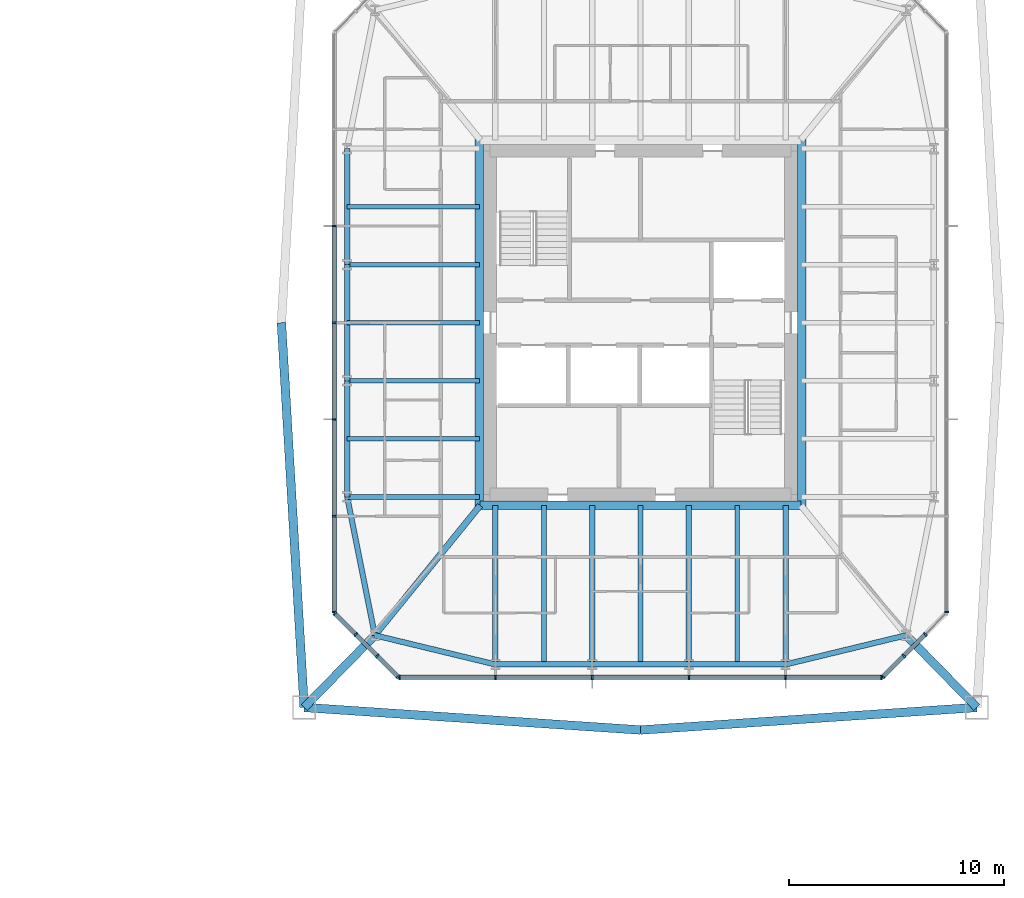
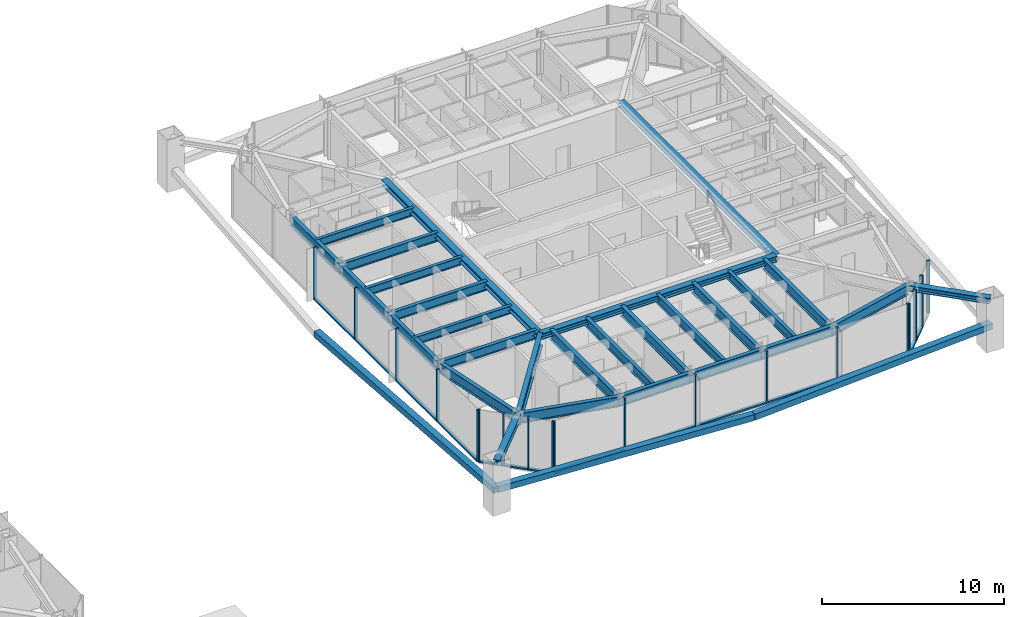
# One storey, part 8 of 25: 38 members, 26 beams, 5 elements without a shape of their own.
"""IFC4 building model written with IfcOpenShell, lengths in metres."""

from ifc_helpers import new_model, si_unit, direction, frame, origin, origin_2d, place, context, subcontext, project, spatial, rectangle, hollow_rectangle, i_section, extrude, material, material_profile, profile_set, type_object, element, aggregate, save


model = new_model("IFC4")

# Units and contexts
model_context = context("Model", 3, precision=1e-05, world=origin(), true_north=direction((0.0, 1.0)))
body_context = subcontext(model_context, "Body", "Model", "MODEL_VIEW")
ifc_project = project(units=[si_unit("LENGTHUNIT", "METRE"), si_unit("AREAUNIT", "SQUARE_METRE"), si_unit("VOLUMEUNIT", "CUBIC_METRE"), si_unit("PLANEANGLEUNIT", "RADIAN"), si_unit("MASSUNIT", "GRAM", prefix="KILO")], contexts=[model_context])

# Site, building, storey
site_placement = place(None, origin())
site = spatial("IfcSite", under=ifc_project, at=site_placement, CompositionType="ELEMENT")
building_placement = place(site_placement, origin())
building = spatial("IfcBuilding", under=site, at=building_placement, Name="Iwan Alto Co-Living Towers", CompositionType="ELEMENT")
storey_placement = place(building_placement, frame((0.0, 0.0, 87.5)))
storey = spatial("IfcBuildingStorey", under=building, at=storey_placement, Name="L23", CompositionType="ELEMENT", Elevation=87.5)

# Curtain wall, members
ifc_material_1 = material(Name="Bronze aluminium unitised frame", Category="aluminium")
curtain_wall_type_1 = type_object("IfcCurtainWallType", Name="CURTAIN WALL CW-C", PredefinedType="NOTDEFINED", material=ifc_material_1)
curtain_wall_1_placement = place(storey_placement, origin())
curtain_wall_1 = element("IfcCurtainWall", 1, at=curtain_wall_1_placement, inside=storey, type_object=curtain_wall_type_1, Name="T2 curtain wall S L23", PredefinedType="NOTDEFINED")
ifc_material_2 = material(Name="Aluminium 6063-T6 bronze anodised", Category="aluminium")
ifc_material_profile_1 = material_profile(ifc_material_2, rectangle(XDim=0.199951171875, YDim=0.080078125, at=origin_2d()), Name="AL 80X200")
ifc_profile_set_1 = profile_set([ifc_material_profile_1], Name="Aluminium 6063-T6 bronze anodised")
member_type_1 = type_object("IfcMemberType", Name="CW-C MULLION 80X200", PredefinedType="MULLION", material=ifc_profile_set_1)
member_1_placement = place(storey_placement, frame((51.7900390625, -16.5, 0.0), z_axis=(0.0, 0.0, 1.0), x_axis=(0.0, 1.0, 0.0)))
member_1 = element("IfcMember", 2, at=member_1_placement, type_object=member_type_1, Name="CW-C mullion 1", PredefinedType="MULLION", context=body_context, shape_type="SweptSolid", body=[
    extrude(rectangle(XDim=0.199951171875, YDim=0.080078125, at=origin_2d()), origin(), (0.0, 0.0, 1.0), 3.5),
])
member_2_placement = place(storey_placement, frame((56.25, -16.5, 0.0), z_axis=(0.0, 0.0, 1.0), x_axis=(0.0, 1.0, 0.0)))
member_2 = element("IfcMember", 3, at=member_2_placement, type_object=member_type_1, Name="CW-C mullion 2", PredefinedType="MULLION", context=body_context, shape_type="SweptSolid", body=[
    extrude(rectangle(XDim=0.199951171875, YDim=0.080078125, at=origin_2d()), origin(), (0.0, 0.0, 1.0), 3.5),
])
member_3_placement = place(storey_placement, frame((60.75, -16.5, 0.0), z_axis=(0.0, 0.0, 1.0), x_axis=(0.0, 1.0, 0.0)))
member_3 = element("IfcMember", 4, at=member_3_placement, type_object=member_type_1, Name="CW-C mullion 3", PredefinedType="MULLION", context=body_context, shape_type="SweptSolid", body=[
    extrude(rectangle(XDim=0.199951171875, YDim=0.080078125, at=origin_2d()), origin(), (0.0, 0.0, 1.0), 3.5),
])
member_4_placement = place(storey_placement, frame((65.25, -16.5, 0.0), z_axis=(0.0, 0.0, 1.0), x_axis=(0.0, 1.0, 0.0)))
member_4 = element("IfcMember", 5, at=member_4_placement, type_object=member_type_1, Name="CW-C mullion 4", PredefinedType="MULLION", context=body_context, shape_type="SweptSolid", body=[
    extrude(rectangle(XDim=0.199951171875, YDim=0.080078125, at=origin_2d()), origin(), (0.0, 0.0, 1.0), 3.5),
])
member_5_placement = place(storey_placement, frame((69.75, -16.5, 0.0), z_axis=(0.0, 0.0, 1.0), x_axis=(0.0, 1.0, 0.0)))
member_5 = element("IfcMember", 6, at=member_5_placement, type_object=member_type_1, Name="CW-C mullion 5", PredefinedType="MULLION", context=body_context, shape_type="SweptSolid", body=[
    extrude(rectangle(XDim=0.199951171875, YDim=0.080078125, at=origin_2d()), origin(), (0.0, 0.0, 1.0), 3.5),
])
member_6_placement = place(storey_placement, frame((74.2099609375, -16.5, 0.0), z_axis=(0.0, 0.0, 1.0), x_axis=(0.0, 1.0, 0.0)))
member_6 = element("IfcMember", 7, at=member_6_placement, type_object=member_type_1, Name="CW-C mullion 6", PredefinedType="MULLION", context=body_context, shape_type="SweptSolid", body=[
    extrude(rectangle(XDim=0.199951171875, YDim=0.080078125, at=origin_2d()), origin(), (0.0, 0.0, 1.0), 3.5),
])

# Curtain wall, member
curtain_wall_2_placement = place(storey_placement, origin())
curtain_wall_2 = element("IfcCurtainWall", 8, at=curtain_wall_2_placement, inside=storey, type_object=curtain_wall_type_1, Name="T2 curtain wall E L23", PredefinedType="NOTDEFINED")
member_7_placement = place(storey_placement, frame((77.25, -13.4599609375, 0.0), z_axis=(0.0, 0.0, 1.0), x_axis=(-1.0, 0.0, 0.0)))
member_7 = element("IfcMember", 9, at=member_7_placement, type_object=member_type_1, Name="CW-C mullion 1", PredefinedType="MULLION", context=body_context, shape_type="SweptSolid", body=[
    extrude(rectangle(XDim=0.199951171875, YDim=0.080078125, at=origin_2d()), origin(), (0.0, 0.0, 1.0), 3.5),
])
aggregate(curtain_wall_2, [member_7])

# Curtain wall, members
curtain_wall_3_placement = place(storey_placement, origin())
curtain_wall_3 = element("IfcCurtainWall", 10, at=curtain_wall_3_placement, inside=storey, type_object=curtain_wall_type_1, Name="T2 curtain wall W L23", PredefinedType="NOTDEFINED")
member_8_placement = place(storey_placement, frame((48.75, 4.5, 0.0), z_axis=(0.0, 0.0, 1.0), x_axis=(1.0, 0.0, 0.0)))
member_8 = element("IfcMember", 11, at=member_8_placement, type_object=member_type_1, Name="CW-C mullion 3", PredefinedType="MULLION", context=body_context, shape_type="SweptSolid", body=[
    extrude(rectangle(XDim=0.199951171875, YDim=0.080078125, at=origin_2d()), origin(), (0.0, 0.0, 1.0), 3.5),
])
member_9_placement = place(storey_placement, frame((48.75, 0.0, 0.0), z_axis=(0.0, 0.0, 1.0), x_axis=(1.0, 0.0, 0.0)))
member_9 = element("IfcMember", 12, at=member_9_placement, type_object=member_type_1, Name="CW-C mullion 4", PredefinedType="MULLION", context=body_context, shape_type="SweptSolid", body=[
    extrude(rectangle(XDim=0.199951171875, YDim=0.080078125, at=origin_2d()), origin(), (0.0, 0.0, 1.0), 3.5),
])
member_10_placement = place(storey_placement, frame((48.75, -4.5, 0.0), z_axis=(0.0, 0.0, 1.0), x_axis=(1.0, 0.0, 0.0)))
member_10 = element("IfcMember", 13, at=member_10_placement, type_object=member_type_1, Name="CW-C mullion 5", PredefinedType="MULLION", context=body_context, shape_type="SweptSolid", body=[
    extrude(rectangle(XDim=0.199951171875, YDim=0.080078125, at=origin_2d()), origin(), (0.0, 0.0, 1.0), 3.5),
])
member_11_placement = place(storey_placement, frame((48.75, -9.0, 0.0), z_axis=(0.0, 0.0, 1.0), x_axis=(1.0, 0.0, 0.0)))
member_11 = element("IfcMember", 14, at=member_11_placement, type_object=member_type_1, Name="CW-C mullion 6", PredefinedType="MULLION", context=body_context, shape_type="SweptSolid", body=[
    extrude(rectangle(XDim=0.199951171875, YDim=0.080078125, at=origin_2d()), origin(), (0.0, 0.0, 1.0), 3.5),
])
member_12_placement = place(storey_placement, frame((48.75, -13.4599609375, 0.0), z_axis=(0.0, 0.0, 1.0), x_axis=(1.0, 0.0, 0.0)))
member_12 = element("IfcMember", 15, at=member_12_placement, type_object=member_type_1, Name="CW-C mullion 7", PredefinedType="MULLION", context=body_context, shape_type="SweptSolid", body=[
    extrude(rectangle(XDim=0.199951171875, YDim=0.080078125, at=origin_2d()), origin(), (0.0, 0.0, 1.0), 3.5),
])

# Member
ifc_material_3 = material(Name="Aluminium 6063-T6 bronze anodised", Category="aluminium")
ifc_material_profile_2 = material_profile(ifc_material_3, rectangle(XDim=0.199951171875, YDim=0.10009765625, at=origin_2d()), Name="AL 200X100")
ifc_profile_set_2 = profile_set([ifc_material_profile_2], Name="Aluminium 6063-T6 bronze anodised")
member_type_2 = type_object("IfcMemberType", Name="CW-C TRANSOM 200X100", PredefinedType="USERDEFINED", material=ifc_profile_set_2)
member_13_placement = place(storey_placement, frame((51.830078125, -16.5, 0.050048828125), z_axis=(1.0, 0.0, 0.0), x_axis=(0.0, 1.0, 0.0)))
member_13 = element("IfcMember", 16, at=member_13_placement, type_object=member_type_2, Name="CW-C transom 1.1", ObjectType="TRANSOM", PredefinedType="USERDEFINED", context=body_context, shape_type="SweptSolid", body=[
    extrude(rectangle(XDim=0.199951171875, YDim=0.10009765625, at=origin_2d()), origin(), (0.0, 0.0, 1.0), 4.3798828125),
])

member_14_placement = place(storey_placement, frame((56.2900390625, -16.5, 0.050048828125), z_axis=(1.0, 0.0, 0.0), x_axis=(0.0, 1.0, 0.0)))
member_14 = element("IfcMember", 17, at=member_14_placement, type_object=member_type_2, Name="CW-C transom 2.1", ObjectType="TRANSOM", PredefinedType="USERDEFINED", context=body_context, shape_type="SweptSolid", body=[
    extrude(rectangle(XDim=0.199951171875, YDim=0.10009765625, at=origin_2d()), origin(), (0.0, 0.0, 1.0), 4.419921875),
])

member_15_placement = place(storey_placement, frame((60.7900390625, -16.5, 0.050048828125), z_axis=(1.0, 0.0, 0.0), x_axis=(0.0, 1.0, 0.0)))
member_15 = element("IfcMember", 18, at=member_15_placement, type_object=member_type_2, Name="CW-C transom 3.1", ObjectType="TRANSOM", PredefinedType="USERDEFINED", context=body_context, shape_type="SweptSolid", body=[
    extrude(rectangle(XDim=0.199951171875, YDim=0.10009765625, at=origin_2d()), origin(), (0.0, 0.0, 1.0), 4.419921875),
])

member_16_placement = place(storey_placement, frame((65.2900390625, -16.5, 0.050048828125), z_axis=(1.0, 0.0, 0.0), x_axis=(0.0, 1.0, 0.0)))
member_16 = element("IfcMember", 19, at=member_16_placement, type_object=member_type_2, Name="CW-C transom 4.1", ObjectType="TRANSOM", PredefinedType="USERDEFINED", context=body_context, shape_type="SweptSolid", body=[
    extrude(rectangle(XDim=0.199951171875, YDim=0.10009765625, at=origin_2d()), origin(), (0.0, 0.0, 1.0), 4.419921875),
])

member_17_placement = place(storey_placement, frame((69.7900390625, -16.5, 0.050048828125), z_axis=(1.0, 0.0, 0.0), x_axis=(0.0, 1.0, 0.0)))
member_17 = element("IfcMember", 20, at=member_17_placement, type_object=member_type_2, Name="CW-C transom 5.1", ObjectType="TRANSOM", PredefinedType="USERDEFINED", context=body_context, shape_type="SweptSolid", body=[
    extrude(rectangle(XDim=0.199951171875, YDim=0.10009765625, at=origin_2d()), origin(), (0.0, 0.0, 1.0), 4.3798828125),
])

aggregate(curtain_wall_1, [member_1, member_2, member_3, member_4, member_5, member_6, member_13, member_14, member_15, member_16, member_17])

member_18_placement = place(storey_placement, frame((48.75, 4.4599609375, 0.050048828125), z_axis=(0.0, -1.0, 0.0), x_axis=(1.0, 0.0, 0.0)))
member_18 = element("IfcMember", 21, at=member_18_placement, type_object=member_type_2, Name="CW-C transom 3.1", ObjectType="TRANSOM", PredefinedType="USERDEFINED", context=body_context, shape_type="SweptSolid", body=[
    extrude(rectangle(XDim=0.199951171875, YDim=0.10009765625, at=origin_2d()), origin(), (0.0, 0.0, 1.0), 4.419921875),
])

member_19_placement = place(storey_placement, frame((48.75, -0.0400390625, 0.050048828125), z_axis=(0.0, -1.0, 0.0), x_axis=(1.0, 0.0, 0.0)))
member_19 = element("IfcMember", 22, at=member_19_placement, type_object=member_type_2, Name="CW-C transom 4.1", ObjectType="TRANSOM", PredefinedType="USERDEFINED", context=body_context, shape_type="SweptSolid", body=[
    extrude(rectangle(XDim=0.199951171875, YDim=0.10009765625, at=origin_2d()), origin(), (0.0, 0.0, 1.0), 4.419921875),
])

member_20_placement = place(storey_placement, frame((48.75, -4.5400390625, 0.050048828125), z_axis=(0.0, -1.0, 0.0), x_axis=(1.0, 0.0, 0.0)))
member_20 = element("IfcMember", 23, at=member_20_placement, type_object=member_type_2, Name="CW-C transom 5.1", ObjectType="TRANSOM", PredefinedType="USERDEFINED", context=body_context, shape_type="SweptSolid", body=[
    extrude(rectangle(XDim=0.199951171875, YDim=0.10009765625, at=origin_2d()), origin(), (0.0, 0.0, 1.0), 4.419921875),
])

member_21_placement = place(storey_placement, frame((48.75, -9.0400390625, 0.050048828125), z_axis=(0.0, -1.0, 0.0), x_axis=(1.0, 0.0, 0.0)))
member_21 = element("IfcMember", 24, at=member_21_placement, type_object=member_type_2, Name="CW-C transom 6.1", ObjectType="TRANSOM", PredefinedType="USERDEFINED", context=body_context, shape_type="SweptSolid", body=[
    extrude(rectangle(XDim=0.199951171875, YDim=0.10009765625, at=origin_2d()), origin(), (0.0, 0.0, 1.0), 4.3798828125),
])

aggregate(curtain_wall_3, [member_8, member_9, member_10, member_11, member_12, member_18, member_19, member_20, member_21])

# Curtain wall, members
ifc_material_4 = material(Name="Bronze aluminium unitised frame", Category="aluminium")
curtain_wall_type_2 = type_object("IfcCurtainWallType", Name="CURTAIN WALL CW-D", PredefinedType="NOTDEFINED", material=ifc_material_4)
curtain_wall_4_placement = place(storey_placement, origin())
curtain_wall_4 = element("IfcCurtainWall", 25, at=curtain_wall_4_placement, inside=storey, type_object=curtain_wall_type_2, Name="T2 chamfer curtain wall SE L23", PredefinedType="NOTDEFINED")
ifc_material_5 = material(Name="Aluminium 6063-T6 bronze anodised", Category="aluminium")
ifc_material_profile_3 = material_profile(ifc_material_5, rectangle(XDim=0.199951171875, YDim=0.080078125, at=origin_2d()), Name="AL 80X200")
ifc_profile_set_3 = profile_set([ifc_material_profile_3], Name="Aluminium 6063-T6 bronze anodised")
member_type_3 = type_object("IfcMemberType", Name="CW-D MULLION 80X200", PredefinedType="MULLION", material=ifc_profile_set_3)
member_22_placement = place(storey_placement, frame((74.2783203125, -16.4716796875, 0.0), z_axis=(0.0, 0.0, 1.0), x_axis=(-0.707106781187, 0.707106781187, 0.0)))
member_22 = element("IfcMember", 26, at=member_22_placement, type_object=member_type_3, Name="CW-D mullion 1", PredefinedType="MULLION", context=body_context, shape_type="SweptSolid", body=[
    extrude(rectangle(XDim=0.199951171875, YDim=0.080078125, at=origin_2d()), origin(), (0.0, 0.0, 1.0), 3.5),
])
member_23_placement = place(storey_placement, frame((75.25, -15.5, 0.0), z_axis=(0.0, 0.0, 1.0), x_axis=(-0.707106781187, 0.707106781187, 0.0)))
member_23 = element("IfcMember", 27, at=member_23_placement, type_object=member_type_3, Name="CW-D mullion 2", PredefinedType="MULLION", context=body_context, shape_type="SweptSolid", body=[
    extrude(rectangle(XDim=0.199951171875, YDim=0.080078125, at=origin_2d()), origin(), (0.0, 0.0, 1.0), 3.5),
])
member_24_placement = place(storey_placement, frame((76.25, -14.5, 0.0), z_axis=(0.0, 0.0, 1.0), x_axis=(-0.707106781187, 0.707106781187, 0.0)))
member_24 = element("IfcMember", 28, at=member_24_placement, type_object=member_type_3, Name="CW-D mullion 3", PredefinedType="MULLION", context=body_context, shape_type="SweptSolid", body=[
    extrude(rectangle(XDim=0.199951171875, YDim=0.080078125, at=origin_2d()), origin(), (0.0, 0.0, 1.0), 3.5),
])

curtain_wall_5_placement = place(storey_placement, origin())
curtain_wall_5 = element("IfcCurtainWall", 29, at=curtain_wall_5_placement, inside=storey, type_object=curtain_wall_type_2, Name="T2 chamfer curtain wall SW L23", PredefinedType="NOTDEFINED")
member_25_placement = place(storey_placement, frame((48.7783203125, -13.5283203125, 0.0), z_axis=(0.0, 0.0, 1.0), x_axis=(0.707106781187, 0.707106781187, 0.0)))
member_25 = element("IfcMember", 30, at=member_25_placement, type_object=member_type_3, Name="CW-D mullion 1", PredefinedType="MULLION", context=body_context, shape_type="SweptSolid", body=[
    extrude(rectangle(XDim=0.199951171875, YDim=0.080078125, at=origin_2d()), origin(), (0.0, 0.0, 1.0), 3.5),
])
member_26_placement = place(storey_placement, frame((49.75, -14.5, 0.0), z_axis=(0.0, 0.0, 1.0), x_axis=(0.707106781187, 0.707106781187, 0.0)))
member_26 = element("IfcMember", 31, at=member_26_placement, type_object=member_type_3, Name="CW-D mullion 2", PredefinedType="MULLION", context=body_context, shape_type="SweptSolid", body=[
    extrude(rectangle(XDim=0.199951171875, YDim=0.080078125, at=origin_2d()), origin(), (0.0, 0.0, 1.0), 3.5),
])
member_27_placement = place(storey_placement, frame((50.75, -15.5, 0.0), z_axis=(0.0, 0.0, 1.0), x_axis=(0.707106781187, 0.707106781187, 0.0)))
member_27 = element("IfcMember", 32, at=member_27_placement, type_object=member_type_3, Name="CW-D mullion 3", PredefinedType="MULLION", context=body_context, shape_type="SweptSolid", body=[
    extrude(rectangle(XDim=0.199951171875, YDim=0.080078125, at=origin_2d()), origin(), (0.0, 0.0, 1.0), 3.5),
])
member_28_placement = place(storey_placement, frame((51.7216796875, -16.4716796875, 0.0), z_axis=(0.0, 0.0, 1.0), x_axis=(0.707106781187, 0.707106781187, 0.0)))
member_28 = element("IfcMember", 33, at=member_28_placement, type_object=member_type_3, Name="CW-D mullion 4", PredefinedType="MULLION", context=body_context, shape_type="SweptSolid", body=[
    extrude(rectangle(XDim=0.199951171875, YDim=0.080078125, at=origin_2d()), origin(), (0.0, 0.0, 1.0), 3.5),
])

# Member
ifc_material_6 = material(Name="Aluminium 6063-T6 bronze anodised", Category="aluminium")
ifc_material_profile_4 = material_profile(ifc_material_6, rectangle(XDim=0.199951171875, YDim=0.10009765625, at=origin_2d()), Name="AL 200X100")
ifc_profile_set_4 = profile_set([ifc_material_profile_4], Name="Aluminium 6063-T6 bronze anodised")
member_type_4 = type_object("IfcMemberType", Name="CW-D TRANSOM 200X100", PredefinedType="USERDEFINED", material=ifc_profile_set_4)
member_29_placement = place(storey_placement, frame((74.306640625, -16.443359375, 0.050048828125), z_axis=(0.707106781187, 0.707106781187, 0.0), x_axis=(-0.707106781187, 0.707106781187, 0.0)))
member_29 = element("IfcMember", 34, at=member_29_placement, type_object=member_type_4, Name="CW-D transom 1.1", ObjectType="TRANSOM", PredefinedType="USERDEFINED", context=body_context, shape_type="SweptSolid", body=[
    extrude(rectangle(XDim=0.199951171875, YDim=0.10009765625, at=origin_2d()), origin(), (0.0, 0.0, 1.0), 1.2939453125),
])

member_30_placement = place(storey_placement, frame((75.2783203125, -15.4716796875, 0.050048828125), z_axis=(0.707106781187, 0.707106781187, 0.0), x_axis=(-0.707106781187, 0.707106781187, 0.0)))
member_30 = element("IfcMember", 35, at=member_30_placement, type_object=member_type_4, Name="CW-D transom 2.1", ObjectType="TRANSOM", PredefinedType="USERDEFINED", context=body_context, shape_type="SweptSolid", body=[
    extrude(rectangle(XDim=0.199951171875, YDim=0.10009765625, at=origin_2d()), origin(), (0.0, 0.0, 1.0), 1.334228515625),
])

aggregate(curtain_wall_4, [member_22, member_23, member_24, member_29, member_30])

member_31_placement = place(storey_placement, frame((48.806640625, -13.556640625, 0.050048828125), z_axis=(0.707106781187, -0.707106781187, 0.0), x_axis=(0.707106781187, 0.707106781187, 0.0)))
member_31 = element("IfcMember", 36, at=member_31_placement, type_object=member_type_4, Name="CW-D transom 1.1", ObjectType="TRANSOM", PredefinedType="USERDEFINED", context=body_context, shape_type="SweptSolid", body=[
    extrude(rectangle(XDim=0.199951171875, YDim=0.10009765625, at=origin_2d()), origin(), (0.0, 0.0, 1.0), 1.2939453125),
])

member_32_placement = place(storey_placement, frame((49.7783203125, -14.5283203125, 0.050048828125), z_axis=(0.707106781187, -0.707106781187, 0.0), x_axis=(0.707106781187, 0.707106781187, 0.0)))
member_32 = element("IfcMember", 37, at=member_32_placement, type_object=member_type_4, Name="CW-D transom 2.1", ObjectType="TRANSOM", PredefinedType="USERDEFINED", context=body_context, shape_type="SweptSolid", body=[
    extrude(rectangle(XDim=0.199951171875, YDim=0.10009765625, at=origin_2d()), origin(), (0.0, 0.0, 1.0), 1.334228515625),
])

member_33_placement = place(storey_placement, frame((50.7783203125, -15.5283203125, 0.050048828125), z_axis=(0.707106781187, -0.707106781187, 0.0), x_axis=(0.707106781187, 0.707106781187, 0.0)))
member_33 = element("IfcMember", 38, at=member_33_placement, type_object=member_type_4, Name="CW-D transom 3.1", ObjectType="TRANSOM", PredefinedType="USERDEFINED", context=body_context, shape_type="SweptSolid", body=[
    extrude(rectangle(XDim=0.199951171875, YDim=0.10009765625, at=origin_2d()), origin(), (0.0, 0.0, 1.0), 1.2939453125),
])

aggregate(curtain_wall_5, [member_25, member_26, member_27, member_28, member_31, member_32, member_33])

# Beams
ifc_material_7 = material(Name="Steel ASTM A992 Gr 50", Category="steel")
ifc_material_profile_5 = material_profile(ifc_material_7, i_section(OverallWidth=0.398681640625, OverallDepth=0.385986328125, WebThickness=0.02099609375, FlangeThickness=0.033203125, at=origin_2d()), Name="W14X176")
ifc_profile_set_5 = profile_set([ifc_material_profile_5], Name="Steel ASTM A992 Gr 50")
beam_type_1 = type_object("IfcBeamType", Name="T2 CORE LEDGER BEAM W14X176", PredefinedType="BEAM", material=ifc_profile_set_5)
beam_1_placement = place(storey_placement, frame((55.538330078125, -8.49951171875, 3.076904296875), z_axis=(1.0, 0.0, 0.0), x_axis=(0.0, 1.0, 0.0)))
element("IfcBeam", 39, at=beam_1_placement, inside=storey, type_object=beam_type_1, Name="T2 core ledger beam S L24", PredefinedType="BEAM", context=body_context, shape_type="SweptSolid", body=[
    extrude(i_section(OverallWidth=0.398681640625, OverallDepth=0.385986328125, WebThickness=0.02099609375, FlangeThickness=0.033203125, at=origin_2d()), origin(), (0.0, 0.0, 1.0), 14.92333984375),
])
for number, where, z_axis, x_axis, name in (
    (40, (70.49951171875, -8.5458984375, 3.076904296875), (0.0, 1.0, 0.0), (-1.0, 0.0, 0.0), "T2 core ledger beam E L24"),
    (41, (55.50048828125, 8.5458984375, 3.076904296875), (0.0, -1.0, 0.0), (1.0, 0.0, 0.0), "T2 core ledger beam W L24"),
):
    element("IfcBeam", number, at=place(storey_placement, frame(where, z_axis=z_axis, x_axis=x_axis)), inside=storey, type_object=beam_type_1, Name=name, PredefinedType="BEAM", context=body_context, shape_type="SweptSolid", body=[
        extrude(i_section(OverallWidth=0.398681640625, OverallDepth=0.385986328125, WebThickness=0.02099609375, FlangeThickness=0.033203125, at=origin_2d()), origin(), (0.0, 0.0, 1.0), 17.091796875),
    ])
ifc_material_8 = material(Name="Steel ASTM A992 Gr 50", Category="steel")
ifc_material_profile_6 = material_profile(ifc_material_8, i_section(OverallWidth=0.2919921875, OverallDepth=0.8408203125, WebThickness=0.0146484375, FlangeThickness=0.021728515625, at=origin_2d()), Name="W33X130")
ifc_profile_set_6 = profile_set([ifc_material_profile_6], Name="Steel ASTM A992 Gr 50")
beam_type_2 = type_object("IfcBeamType", Name="T2 CORNER GIRDER W33X130", PredefinedType="BEAM", material=ifc_profile_set_6)
beam_2_placement = place(storey_placement, frame((50.638671875, -14.542724609375, 2.849609375), z_axis=(0.629783024592, 0.776771100091, 0.0), x_axis=(-0.776771100091, 0.629783024592, 0.0)))
element("IfcBeam", 42, at=beam_2_placement, inside=storey, type_object=beam_type_2, Name="T2 corner girder CSW L24", PredefinedType="BEAM", context=body_context, shape_type="SweptSolid", body=[
    extrude(i_section(OverallWidth=0.2919921875, OverallDepth=0.8408203125, WebThickness=0.0146484375, FlangeThickness=0.021728515625, at=origin_2d()), origin(), (0.0, 0.0, 1.0), 7.780029296875),
])
ifc_material_9 = material(Name="Steel ASTM A992 Gr 50", Category="steel")
ifc_material_profile_7 = material_profile(ifc_material_9, i_section(OverallWidth=0.25390625, OverallDepth=0.683349609375, WebThickness=0.012451171875, FlangeThickness=0.018798828125, at=origin_2d()), Name="W27X94")
ifc_profile_set_7 = profile_set([ifc_material_profile_7], Name="Steel ASTM A992 Gr 50")
beam_type_3 = type_object("IfcBeamType", Name="T2 EDGE BEAM W27X94", PredefinedType="BEAM", material=ifc_profile_set_7)
beam_3_placement = place(storey_placement, frame((50.638671875, -14.542724609375, 2.928466796875), z_axis=(0.971974673138, -0.235085590323, 0.0), x_axis=(0.235085590323, 0.971974673138, 0.0)))
element("IfcBeam", 43, at=beam_3_placement, inside=storey, type_object=beam_type_3, Name="T2 edge beam CSW L24", PredefinedType="BEAM", context=body_context, shape_type="SweptSolid", body=[
    extrude(i_section(OverallWidth=0.25390625, OverallDepth=0.683349609375, WebThickness=0.012451171875, FlangeThickness=0.018798828125, at=origin_2d()), origin(), (0.0, 0.0, 1.0), 5.773193359375),
])
for number, where, z_axis, x_axis, name in (
    (44, (56.25, -15.89990234375, 2.928466796875), (1.0, 0.0, 0.0), (0.0, 1.0, 0.0), "T2 edge beam S1 L24"),
    (45, (60.75, -15.89990234375, 2.928466796875), (1.0, 0.0, 0.0), (0.0, 1.0, 0.0), "T2 edge beam S2 L24"),
    (46, (65.25, -15.89990234375, 2.928466796875), (1.0, 0.0, 0.0), (0.0, 1.0, 0.0), "T2 edge beam S3 L24"),
):
    element("IfcBeam", number, at=place(storey_placement, frame(where, z_axis=z_axis, x_axis=x_axis)), inside=storey, type_object=beam_type_3, Name=name, PredefinedType="BEAM", context=body_context, shape_type="SweptSolid", body=[
        extrude(i_section(OverallWidth=0.25390625, OverallDepth=0.683349609375, WebThickness=0.012451171875, FlangeThickness=0.018798828125, at=origin_2d()), origin(), (0.0, 0.0, 1.0), 4.5),
    ])
beam_4_placement = place(storey_placement, frame((69.75, -15.89990234375, 2.928466796875), z_axis=(0.971974673138, 0.235085590323, 0.0), x_axis=(-0.235085590323, 0.971974673138, 0.0)))
element("IfcBeam", 47, at=beam_4_placement, inside=storey, type_object=beam_type_3, Name="T2 edge beam S4 L24", PredefinedType="BEAM", context=body_context, shape_type="SweptSolid", body=[
    extrude(i_section(OverallWidth=0.25390625, OverallDepth=0.683349609375, WebThickness=0.012451171875, FlangeThickness=0.018798828125, at=origin_2d()), origin(), (0.0, 0.0, 1.0), 5.773193359375),
])
beam_5_placement = place(storey_placement, frame((49.35009765625, 8.10009765625, 2.928466796875), z_axis=(0.0, -1.0, 0.0), x_axis=(1.0, 0.0, 0.0)))
element("IfcBeam", 48, at=beam_5_placement, inside=storey, type_object=beam_type_3, Name="T2 edge beam W1 L24", PredefinedType="BEAM", context=body_context, shape_type="SweptSolid", body=[
    extrude(i_section(OverallWidth=0.25390625, OverallDepth=0.683349609375, WebThickness=0.012451171875, FlangeThickness=0.018798828125, at=origin_2d()), origin(), (0.0, 0.0, 1.0), 5.400146484375),
])
beam_6_placement = place(storey_placement, frame((49.35009765625, 2.699951171875, 2.928466796875), z_axis=(0.0, -1.0, 0.0), x_axis=(1.0, 0.0, 0.0)))
element("IfcBeam", 49, at=beam_6_placement, inside=storey, type_object=beam_type_3, Name="T2 edge beam W2 L24", PredefinedType="BEAM", context=body_context, shape_type="SweptSolid", body=[
    extrude(i_section(OverallWidth=0.25390625, OverallDepth=0.683349609375, WebThickness=0.012451171875, FlangeThickness=0.018798828125, at=origin_2d()), origin(), (0.0, 0.0, 1.0), 5.39990234375),
])
beam_7_placement = place(storey_placement, frame((49.35009765625, -2.699951171875, 2.928466796875), z_axis=(0.0, -1.0, 0.0), x_axis=(1.0, 0.0, 0.0)))
element("IfcBeam", 50, at=beam_7_placement, inside=storey, type_object=beam_type_3, Name="T2 edge beam W3 L24", PredefinedType="BEAM", context=body_context, shape_type="SweptSolid", body=[
    extrude(i_section(OverallWidth=0.25390625, OverallDepth=0.683349609375, WebThickness=0.012451171875, FlangeThickness=0.018798828125, at=origin_2d()), origin(), (0.0, 0.0, 1.0), 5.400146484375),
])
beam_8_placement = place(storey_placement, frame((49.35009765625, -8.10009765625, 2.928466796875), z_axis=(0.196123281025, -0.980579246487, 0.0), x_axis=(0.980579246487, 0.196123281025, 0.0)))
element("IfcBeam", 51, at=beam_8_placement, inside=storey, type_object=beam_type_3, Name="T2 edge beam W4 L24", PredefinedType="BEAM", context=body_context, shape_type="SweptSolid", body=[
    extrude(i_section(OverallWidth=0.25390625, OverallDepth=0.683349609375, WebThickness=0.012451171875, FlangeThickness=0.018798828125, at=origin_2d()), origin(), (0.0, 0.0, 1.0), 6.5703125),
])

# Members
ifc_material_10 = material(Name="Steel ASTM A992 Gr 50", Category="steel")
ifc_material_profile_8 = material_profile(ifc_material_10, i_section(OverallWidth=0.393798828125, OverallDepth=0.3759765625, WebThickness=0.017333984375, FlangeThickness=0.027587890625, at=origin_2d()), Name="W14X145")
ifc_profile_set_8 = profile_set([ifc_material_profile_8], Name="Steel ASTM A992 Gr 50")
member_type_5 = type_object("IfcMemberType", Name="T2 MEGA COLUMN FLOOR TIE W14X145", PredefinedType="STRUT", material=ifc_profile_set_8)
for number, where, z_axis, x_axis, name in (
    (52, (47.35009765625, -17.89990234375, 3.08203125), (0.699770096147, 0.714368121166, 0.0), (-0.714368121166, 0.699770096147, 0.0), "T2 mega column floor tie SW L24"),
    (53, (78.64990234375, -17.89990234375, 3.08203125), (-0.699770096147, 0.714368121166, 0.0), (-0.714368121166, -0.699770096147, 0.0), "T2 mega column floor tie SE L24"),
):
    element("IfcMember", number, at=place(storey_placement, frame(where, z_axis=z_axis, x_axis=x_axis)), inside=storey, type_object=member_type_5, Name=name, PredefinedType="STRUT", context=body_context, shape_type="SweptSolid", body=[
        extrude(i_section(OverallWidth=0.393798828125, OverallDepth=0.3759765625, WebThickness=0.017333984375, FlangeThickness=0.027587890625, at=origin_2d()), origin(), (0.0, 0.0, 1.0), 4.699462890625),
    ])
ifc_material_11 = material(Name="Steel ASTM A500 Gr C", Category="steel")
ifc_material_profile_9 = material_profile(ifc_material_11, hollow_rectangle(XDim=0.406494140625, YDim=0.406494140625, WallThickness=0.0146484375, at=origin_2d()), Name="HSS16X16X5/8")
ifc_profile_set_9 = profile_set([ifc_material_profile_9], Name="Steel ASTM A500 Gr C")
member_type_6 = type_object("IfcMemberType", Name="T2 MEGA TIE HSS16X16X5/8", PredefinedType="STRUT", material=ifc_profile_set_9)
for number, where, z_axis, x_axis, name in (
    (54, (47.35009765625, -17.89990234375, 1.4052734375), (0.997758701258, -0.066914677494, 0.0), (0.066914677494, 0.997758701258, 0.0), "T2 mega tie Z2A S 1"),
    (55, (63.0, -18.949462890625, 1.4052734375), (0.997758701258, 0.066914677494, 0.0), (-0.066914677494, 0.997758701258, 0.0), "T2 mega tie Z2A S 2"),
):
    element("IfcMember", number, at=place(storey_placement, frame(where, z_axis=z_axis, x_axis=x_axis)), inside=storey, type_object=member_type_6, Name=name, PredefinedType="STRUT", context=body_context, shape_type="SweptSolid", body=[
        extrude(hollow_rectangle(XDim=0.406494140625, YDim=0.406494140625, WallThickness=0.0146484375, at=origin_2d()), origin(), (0.0, 0.0, 1.0), 15.68505859375),
    ])
member_34_placement = place(storey_placement, frame((46.29150390625, 0.0, 1.29833984375), z_axis=(0.059036488436, -0.998255825444, 0.0), x_axis=(0.998255825444, 0.059036488436, 0.0)))
element("IfcMember", 56, at=member_34_placement, inside=storey, type_object=member_type_6, Name="T2 mega tie Z2A W 2", PredefinedType="STRUT", context=body_context, shape_type="SweptSolid", body=[
    extrude(hollow_rectangle(XDim=0.406494140625, YDim=0.406494140625, WallThickness=0.0146484375, at=origin_2d()), origin(), (0.0, 0.0, 1.0), 17.93115234375),
])

# Beams
ifc_material_12 = material(Name="Steel ASTM A992 Gr 50", Category="steel")
ifc_material_profile_10 = material_profile(ifc_material_12, i_section(OverallWidth=0.228271484375, OverallDepth=0.607177734375, WebThickness=0.01123046875, FlangeThickness=0.017333984375, at=origin_2d()), Name="W24X76")
ifc_profile_set_10 = profile_set([ifc_material_profile_10], Name="Steel ASTM A992 Gr 50")
beam_type_4 = type_object("IfcBeamType", Name="T2 RADIAL BEAM W24X76", PredefinedType="BEAM", material=ifc_profile_set_10)
for number, where, z_axis, x_axis, name in (
    (57, (49.35009765625, 2.699951171875, 2.966552734375), (1.0, 0.0, 0.0), (0.0, 1.0, 0.0), "T2 radial beam W2 L24"),
    (58, (49.35009765625, -2.699951171875, 2.966552734375), (1.0, 0.0, 0.0), (0.0, 1.0, 0.0), "T2 radial beam W3 L24"),
    (59, (49.35009765625, -8.10009765625, 2.966552734375), (1.0, 0.0, 0.0), (0.0, 1.0, 0.0), "T2 radial beam W4 L24"),
):
    element("IfcBeam", number, at=place(storey_placement, frame(where, z_axis=z_axis, x_axis=x_axis)), inside=storey, type_object=beam_type_4, Name=name, PredefinedType="BEAM", context=body_context, shape_type="SweptSolid", body=[
        extrude(i_section(OverallWidth=0.228271484375, OverallDepth=0.607177734375, WebThickness=0.01123046875, FlangeThickness=0.017333984375, at=origin_2d()), origin(), (0.0, 0.0, 1.0), 6.150390625),
    ])
ifc_material_13 = material(Name="Steel ASTM A992 Gr 50", Category="steel")
ifc_material_profile_11 = material_profile(ifc_material_13, i_section(OverallWidth=0.25390625, OverallDepth=0.683349609375, WebThickness=0.012451171875, FlangeThickness=0.018798828125, at=origin_2d()), Name="W27X94")
ifc_profile_set_11 = profile_set([ifc_material_profile_11], Name="Steel ASTM A992 Gr 50")
beam_type_5 = type_object("IfcBeamType", Name="T2 RADIAL BEAM W27X94", PredefinedType="BEAM", material=ifc_profile_set_11)
for number, where, z_axis, x_axis, name in (
    (60, (56.25, -15.89990234375, 2.928466796875), (0.0, 1.0, 0.0), (-1.0, 0.0, 0.0), "T2 radial beam S1 L24"),
    (61, (60.75, -15.89990234375, 2.928466796875), (0.0, 1.0, 0.0), (-1.0, 0.0, 0.0), "T2 radial beam S2 L24"),
    (62, (65.25, -15.89990234375, 2.928466796875), (0.0, 1.0, 0.0), (-1.0, 0.0, 0.0), "T2 radial beam S3 L24"),
    (63, (69.75, -15.89990234375, 2.928466796875), (0.0, 1.0, 0.0), (-1.0, 0.0, 0.0), "T2 radial beam S4 L24"),
):
    element("IfcBeam", number, at=place(storey_placement, frame(where, z_axis=z_axis, x_axis=x_axis)), inside=storey, type_object=beam_type_5, Name=name, PredefinedType="BEAM", context=body_context, shape_type="SweptSolid", body=[
        extrude(i_section(OverallWidth=0.25390625, OverallDepth=0.683349609375, WebThickness=0.012451171875, FlangeThickness=0.018798828125, at=origin_2d()), origin(), (0.0, 0.0, 1.0), 7.400390625),
    ])
ifc_material_14 = material(Name="Steel ASTM A992 Gr 50", Category="steel")
ifc_material_profile_12 = material_profile(ifc_material_14, i_section(OverallWidth=0.209228515625, OverallDepth=0.533447265625, WebThickness=0.01025390625, FlangeThickness=0.015625, at=origin_2d()), Name="W21X62")
ifc_profile_set_12 = profile_set([ifc_material_profile_12], Name="Steel ASTM A992 Gr 50")
beam_type_6 = type_object("IfcBeamType", Name="T2 SECONDARY BEAM W21X62", PredefinedType="JOIST", material=ifc_profile_set_12)
for number, where, z_axis, x_axis, name in (
    (64, (49.35009765625, 5.39990234375, 3.00341796875), (1.0, 0.0, 0.0), (0.0, 1.0, 0.0), "T2 secondary beam W1 L24"),
    (65, (49.35009765625, 0.0, 3.00341796875), (1.0, 0.0, 0.0), (0.0, 1.0, 0.0), "T2 secondary beam W2 L24"),
    (66, (49.35009765625, -5.39990234375, 3.00341796875), (1.0, 0.0, 0.0), (0.0, 1.0, 0.0), "T2 secondary beam W3 L24"),
):
    element("IfcBeam", number, at=place(storey_placement, frame(where, z_axis=z_axis, x_axis=x_axis)), inside=storey, type_object=beam_type_6, Name=name, PredefinedType="JOIST", context=body_context, shape_type="SweptSolid", body=[
        extrude(i_section(OverallWidth=0.209228515625, OverallDepth=0.533447265625, WebThickness=0.01025390625, FlangeThickness=0.015625, at=origin_2d()), origin(), (0.0, 0.0, 1.0), 6.150390625),
    ])
ifc_material_15 = material(Name="Steel ASTM A992 Gr 50", Category="steel")
ifc_material_profile_13 = material_profile(ifc_material_15, i_section(OverallWidth=0.228271484375, OverallDepth=0.607177734375, WebThickness=0.01123046875, FlangeThickness=0.017333984375, at=origin_2d()), Name="W24X76")
ifc_profile_set_13 = profile_set([ifc_material_profile_13], Name="Steel ASTM A992 Gr 50")
beam_type_7 = type_object("IfcBeamType", Name="T2 SECONDARY BEAM W24X76", PredefinedType="JOIST", material=ifc_profile_set_13)
for number, where, z_axis, x_axis, name in (
    (67, (58.5, -15.89990234375, 2.966552734375), (0.0, 1.0, 0.0), (-1.0, 0.0, 0.0), "T2 secondary beam S1 L24"),
    (68, (63.0, -15.89990234375, 2.966552734375), (0.0, 1.0, 0.0), (-1.0, 0.0, 0.0), "T2 secondary beam S2 L24"),
    (69, (67.5, -15.89990234375, 2.966552734375), (0.0, 1.0, 0.0), (-1.0, 0.0, 0.0), "T2 secondary beam S3 L24"),
):
    element("IfcBeam", number, at=place(storey_placement, frame(where, z_axis=z_axis, x_axis=x_axis)), inside=storey, type_object=beam_type_7, Name=name, PredefinedType="JOIST", context=body_context, shape_type="SweptSolid", body=[
        extrude(i_section(OverallWidth=0.228271484375, OverallDepth=0.607177734375, WebThickness=0.01123046875, FlangeThickness=0.017333984375, at=origin_2d()), origin(), (0.0, 0.0, 1.0), 7.400390625),
    ])

save(model, "model.ifc")
